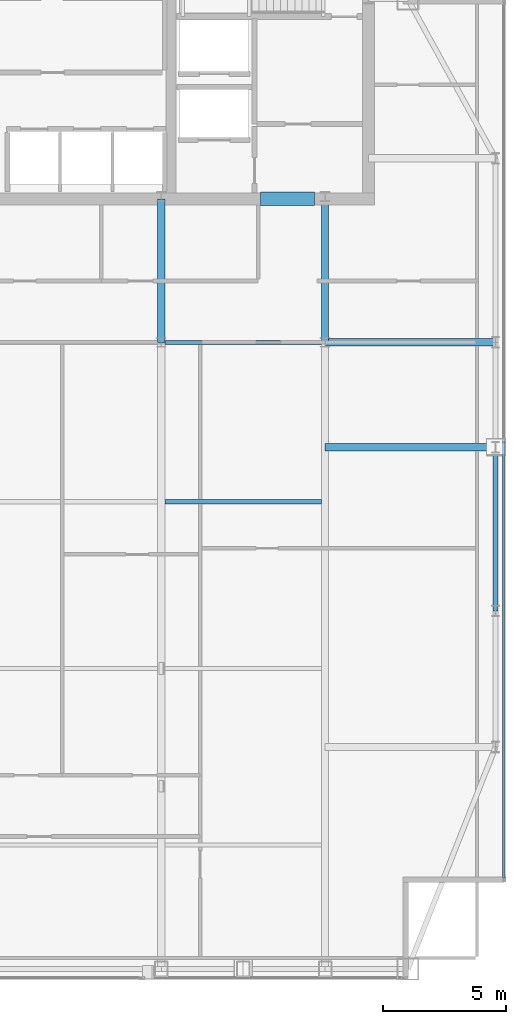
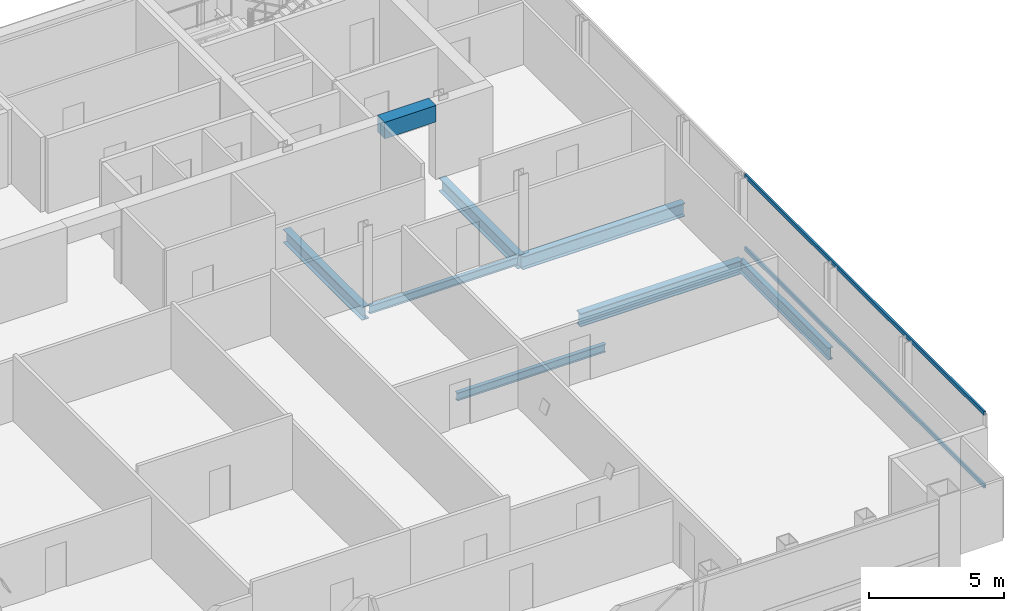
# One storey, part 13 of 24: 8 beams, 2 members, 1 element without a shape of its own.
"""IFC4 building model written with IfcOpenShell, lengths in metres."""

from ifc_helpers import new_model, si_unit, direction, frame, origin, origin_2d, place, context, subcontext, project, spatial, rectangle, hollow_rectangle, i_section, extrude, material, material_profile, profile_set, type_object, element, aggregate, save


model = new_model("IFC4")

# Units and contexts
model_context = context("Model", 3, precision=1e-05, world=origin(), true_north=direction((0.0, 1.0)))
body_context = subcontext(model_context, "Body", "Model", "MODEL_VIEW")
ifc_project = project(units=[si_unit("LENGTHUNIT", "METRE"), si_unit("AREAUNIT", "SQUARE_METRE"), si_unit("VOLUMEUNIT", "CUBIC_METRE"), si_unit("PLANEANGLEUNIT", "RADIAN"), si_unit("MASSUNIT", "GRAM", prefix="KILO")], contexts=[model_context])

# Site, building, storey
site_placement = place(None, origin())
site = spatial("IfcSite", under=ifc_project, at=site_placement, CompositionType="ELEMENT")
building_placement = place(site_placement, origin())
building = spatial("IfcBuilding", under=site, at=building_placement, Name="Khoronbel Lancet Exchange", CompositionType="ELEMENT")
storey_placement = place(building_placement, frame((0.0, 0.0, 347.0)))
storey = spatial("IfcBuildingStorey", under=building, at=storey_placement, Name="L90", CompositionType="ELEMENT", Elevation=347.0)

# Beams
ifc_material_1 = material(Name="Steel S355", Category="steel")
ifc_material_profile_1 = material_profile(ifc_material_1, i_section(OverallWidth=0.300048828125, OverallDepth=0.60009765625, WebThickness=0.015380859375, FlangeThickness=0.030029296875, at=origin_2d()), Name="HEB 600")
ifc_profile_set_1 = profile_set([ifc_material_profile_1], Name="Steel S355")
beam_type_1 = type_object("IfcBeamType", Name="BM-BG5", PredefinedType="BEAM", material=ifc_profile_set_1)
for number, where, z_axis, x_axis, name in (
    (1, (48.0, 35.699951171875, -0.4599609375), (0.0, 1.0, 0.0), (-1.0, 0.0, 0.0), "Level L90 spine tie girder GN5"),
    (2, (54.675048828125, 35.699951171875, -0.4599609375), (0.0, 1.0, 0.0), (-1.0, 0.0, 0.0), "Level L90 spine tie girder GN6"),
):
    element("IfcBeam", number, at=place(storey_placement, frame(where, z_axis=z_axis, x_axis=x_axis)), inside=storey, type_object=beam_type_1, Name=name, PredefinedType="BEAM", context=body_context, shape_type="SweptSolid", body=[
        extrude(i_section(OverallWidth=0.300048828125, OverallDepth=0.60009765625, WebThickness=0.015380859375, FlangeThickness=0.030029296875, at=origin_2d()), origin(), (0.0, 0.0, 1.0), 5.85009765625),
    ])
for number, where, z_axis, x_axis, name in (
    (3, (54.675048828125, 31.425048828125, -0.4599609375), (1.0, 0.0, 0.0), (0.0, 1.0, 0.0), "Level L90 east lens tie girder LG2E"),
    (4, (54.675048828125, 35.699951171875, -0.4599609375), (1.0, 0.0, 0.0), (0.0, 1.0, 0.0), "Level L90 east lens tie girder LG4E"),
):
    element("IfcBeam", number, at=place(storey_placement, frame(where, z_axis=z_axis, x_axis=x_axis)), inside=storey, type_object=beam_type_1, Name=name, PredefinedType="BEAM", context=body_context, shape_type="SweptSolid", body=[
        extrude(i_section(OverallWidth=0.300048828125, OverallDepth=0.60009765625, WebThickness=0.015380859375, FlangeThickness=0.030029296875, at=origin_2d()), origin(), (0.0, 0.0, 1.0), 6.954833984375),
    ])
ifc_material_profile_2 = material_profile(ifc_material_1, i_section(OverallWidth=0.169921875, OverallDepth=0.360107421875, WebThickness=0.008056640625, FlangeThickness=0.0126953125, at=origin_2d()), Name="IPE 360")
ifc_profile_set_2 = profile_set([ifc_material_profile_2], Name="Steel S355")
beam_type_2 = type_object("IfcBeamType", Name="BM-BJ6", PredefinedType="JOIST", material=ifc_profile_set_2)
for number, where, z_axis, x_axis, name in (
    (5, (48.14990234375, 29.199951171875, -0.340087890625), (1.0, 0.0, 0.0), (0.0, 1.0, 0.0), "Level L90 secondary composite joist J09"),
    (6, (48.14990234375, 35.699951171875, -0.340087890625), (1.0, 0.0, 0.0), (0.0, 1.0, 0.0), "Level L90 secondary composite joist J12"),
):
    element("IfcBeam", number, at=place(storey_placement, frame(where, z_axis=z_axis, x_axis=x_axis)), inside=storey, type_object=beam_type_2, Name=name, PredefinedType="JOIST", context=body_context, shape_type="SweptSolid", body=[
        extrude(i_section(OverallWidth=0.169921875, OverallDepth=0.360107421875, WebThickness=0.008056640625, FlangeThickness=0.0126953125, at=origin_2d()), origin(), (0.0, 0.0, 1.0), 6.375),
    ])
ifc_material_2 = material(Name="Concrete C60/75", Category="concrete")
ifc_material_profile_3 = material_profile(ifc_material_2, rectangle(XDim=0.550048828125, YDim=0.75, at=origin_2d()), Name="RC 550x750")
ifc_profile_set_3 = profile_set([ifc_material_profile_3], Name="Concrete C60/75")
beam_type_3 = type_object("IfcBeamType", Name="BM-BL2", PredefinedType="LINTEL", material=ifc_profile_set_3)
beam_1_placement = place(storey_placement, frame((52.050048828125, 41.550048828125, 3.0048828125), z_axis=(1.0, 0.0, 0.0), x_axis=(0.0, 1.0, 0.0)))
element("IfcBeam", 7, at=beam_1_placement, inside=storey, type_object=beam_type_3, Name="Level L90 rear core coupling lintel L4", PredefinedType="LINTEL", context=body_context, shape_type="SweptSolid", body=[
    extrude(rectangle(XDim=0.550048828125, YDim=0.75, at=origin_2d()), origin(), (0.0, 0.0, 1.0), 2.199951171875),
])
ifc_material_profile_4 = material_profile(ifc_material_1, i_section(OverallWidth=0.2099609375, OverallDepth=0.550048828125, WebThickness=0.010986328125, FlangeThickness=0.01708984375, at=origin_2d()), Name="IPE 550")
ifc_profile_set_4 = profile_set([ifc_material_profile_4], Name="Steel S355")
beam_type_4 = type_object("IfcBeamType", Name="BM-BSP3", PredefinedType="SPANDREL", material=ifc_profile_set_4)
beam_2_placement = place(storey_placement, frame((61.6298828125, 24.75, -0.43505859375), z_axis=(0.0, 1.0, 0.0), x_axis=(-1.0, 0.0, 0.0)))
element("IfcBeam", 8, at=beam_2_placement, inside=storey, type_object=beam_type_4, Name="Level L90 perimeter spandrel beam SP10", PredefinedType="SPANDREL", context=body_context, shape_type="SweptSolid", body=[
    extrude(i_section(OverallWidth=0.2099609375, OverallDepth=0.550048828125, WebThickness=0.010986328125, FlangeThickness=0.01708984375, at=origin_2d()), origin(), (0.0, 0.0, 1.0), 6.675048828125),
])

# Curtain wall, members
ifc_material_3 = material(Name="Low-E Solar Control Insulating Glass", Category="glass")
curtain_wall_type = type_object("IfcCurtainWallType", Name="CW-4", PredefinedType="NOTDEFINED", material=ifc_material_3)
curtain_wall_placement = place(storey_placement, origin())
curtain_wall = element("IfcCurtainWall", 9, at=curtain_wall_placement, inside=storey, type_object=curtain_wall_type, Name="Unitised curtain wall CW-L90-E09", PredefinedType="NOTDEFINED")
ifc_material_4 = material(Name="Bronze-Anodised Aluminium 6063-T6", Category="aluminium")
ifc_material_profile_5 = material_profile(ifc_material_4, hollow_rectangle(XDim=0.0849609375, YDim=0.179931640625, WallThickness=0.0048828125, at=origin_2d()), Name="ALU TRANSOM 85x180")
ifc_profile_set_5 = profile_set([ifc_material_profile_5], Name="Bronze-Anodised Aluminium 6063-T6")
member_type = type_object("IfcMemberType", Name="MEM-CWT1", PredefinedType="USERDEFINED", material=ifc_profile_set_5)
member_1_placement = place(storey_placement, frame((61.9599609375, 31.66259765625, 0.04248046875), z_axis=(0.0, -1.0, 0.0), x_axis=(1.0, 0.0, 0.0)))
member_1 = element("IfcMember", 10, at=member_1_placement, type_object=member_type, Name="CW4 transom 2.1", ObjectType="TRANSOM", PredefinedType="USERDEFINED", context=body_context, shape_type="SweptSolid", body=[
    extrude(hollow_rectangle(XDim=0.0849609375, YDim=0.179931640625, WallThickness=0.0048828125, at=origin_2d()), origin(), (0.0, 0.0, 1.0), 17.797607421875),
])
member_2_placement = place(storey_placement, frame((61.9599609375, 31.66259765625, 3.33740234375), z_axis=(0.0, -1.0, 0.0), x_axis=(1.0, 0.0, 0.0)))
member_2 = element("IfcMember", 11, at=member_2_placement, type_object=member_type, Name="CW4 transom 2.2", ObjectType="TRANSOM", PredefinedType="USERDEFINED", context=body_context, shape_type="SweptSolid", body=[
    extrude(hollow_rectangle(XDim=0.0849609375, YDim=0.179931640625, WallThickness=0.0048828125, at=origin_2d()), origin(), (0.0, 0.0, 1.0), 17.797607421875),
])
aggregate(curtain_wall, [member_1, member_2])

save(model, "model.ifc")
